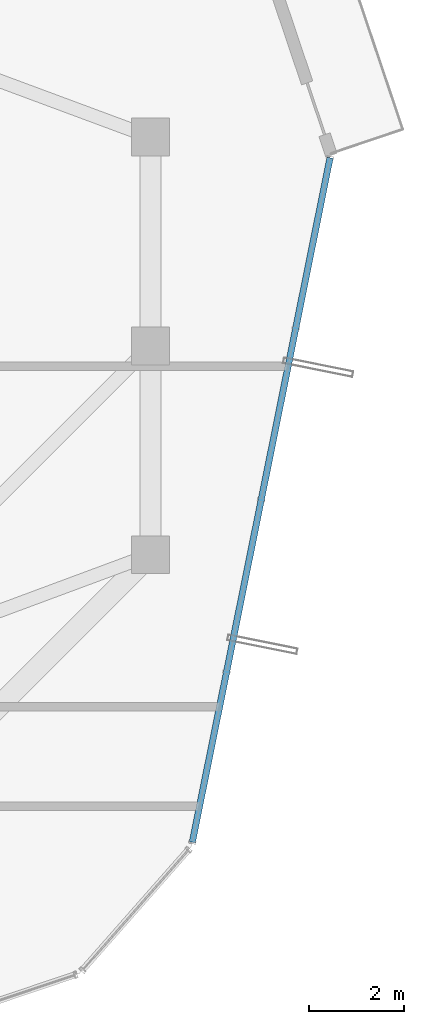
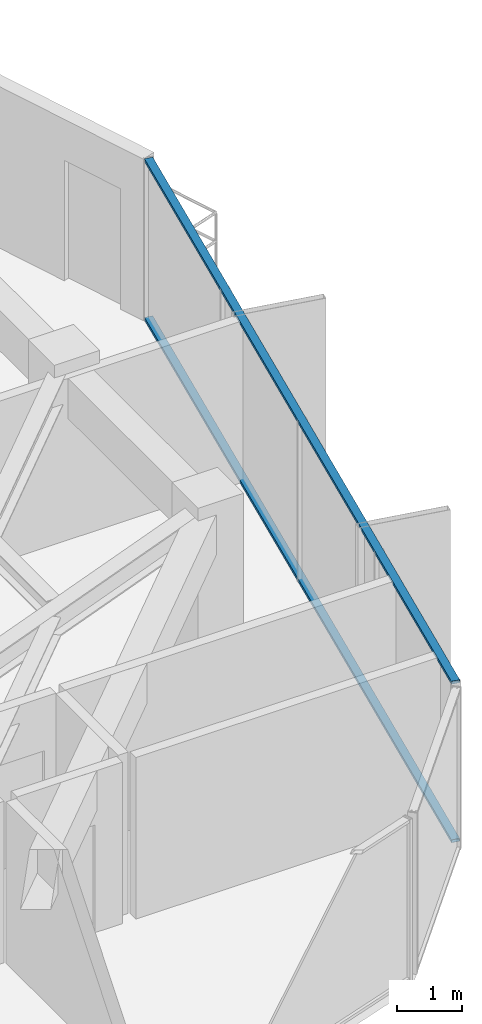
# One storey, part 18 of 28: 2 members, 1 element without a shape of its own.
"""IFC4 building model written with IfcOpenShell, lengths in metres."""

from ifc_helpers import new_model, si_unit, direction, frame, origin, origin_2d, place, context, subcontext, project, spatial, hollow_rectangle, extrude, source, transform, mapped, material, layer, layer_set, material_profile, profile_set, type_object, element, aggregate, save


model = new_model("IFC4")

# Units and contexts
model_context = context("Model", 3, precision=1e-05, world=origin(), true_north=direction((0.0, 1.0)))
body_context = subcontext(model_context, "Body", "Model", "MODEL_VIEW")
ifc_project = project(units=[si_unit("LENGTHUNIT", "METRE"), si_unit("AREAUNIT", "SQUARE_METRE"), si_unit("VOLUMEUNIT", "CUBIC_METRE"), si_unit("PLANEANGLEUNIT", "RADIAN"), si_unit("MASSUNIT", "GRAM", prefix="KILO")], contexts=[model_context])

# Site, building, storey
site_placement = place(None, origin())
site = spatial("IfcSite", under=ifc_project, at=site_placement, CompositionType="ELEMENT")
building_placement = place(site_placement, origin())
building = spatial("IfcBuilding", under=site, at=building_placement, Name="Veraguas Prism Commons", CompositionType="ELEMENT")
storey_placement = place(building_placement, frame((0.0, 0.0, 248.0)))
storey = spatial("IfcBuildingStorey", under=building, at=storey_placement, Name="L70", CompositionType="ELEMENT", Elevation=248.0)

# Curtain wall, members
ifc_material = material(Name="Anodised aluminium EN AW-6063 T6", Category="aluminium")
ifc_layer = layer(ifc_material, 0.14990234375, Name="Unitised Flush Curtain Wall Zone 4", Category="aluminium")
ifc_layer_set = layer_set([ifc_layer], Name="Anodised aluminium EN AW-6063 T6")
curtain_wall_type = type_object("IfcCurtainWallType", Name="Unitised Flush Curtain Wall Zone 4", PredefinedType="NOTDEFINED", material=ifc_layer_set)
curtain_wall_placement = place(storey_placement, origin())
curtain_wall = element("IfcCurtainWall", 1, at=curtain_wall_placement, inside=storey, type_object=curtain_wall_type, Name="Tower Facade Curtain Wall L70-F6", PredefinedType="NOTDEFINED")
ifc_material_profile = material_profile(ifc_material, hollow_rectangle(XDim=0.054931640625, YDim=0.135009765625, WallThickness=0.0029296875, at=origin_2d()), Name="AL55X135X3")
ifc_profile_set = profile_set([ifc_material_profile], Name="Anodised aluminium EN AW-6063 T6")
member_type = type_object("IfcMemberType", Name="Curtain Wall Transom Standard AL 55x135x3", PredefinedType="USERDEFINED", material=ifc_profile_set)
shared_shape = source(origin(), body_context, "Body", "SweptSolid", [
    extrude(hollow_rectangle(XDim=0.054931640625, YDim=0.135009765625, WallThickness=0.0029296875, at=origin_2d()), origin(), (0.0, 0.0, 1.0), 14.706298828125),
])
member_1_placement = place(storey_placement, frame((38.679931640625, 13.544677734375, 0.027587890625), z_axis=(0.197319560364, 0.980339222462, 0.0), x_axis=(0.0, 0.0, 1.0)))
member_1 = element("IfcMember", 2, at=member_1_placement, type_object=member_type, Name="CW-Z4 Transom 1", ObjectType="TRANSOM", PredefinedType="USERDEFINED", context=body_context, shape_type="MappedRepresentation", body=[
    mapped(shared_shape, transform((0.0, 0.0, 0.0), scale=1.0)),
])
member_2_placement = place(storey_placement, frame((38.679931640625, 13.544677734375, 2.987548828125), z_axis=(0.197319560364, 0.980339222462, 0.0), x_axis=(0.0, 0.0, 1.0)))
member_2 = element("IfcMember", 3, at=member_2_placement, type_object=member_type, Name="CW-Z4 Transom 2", ObjectType="TRANSOM", PredefinedType="USERDEFINED", context=body_context, shape_type="MappedRepresentation", body=[
    mapped(shared_shape, transform((0.0, 0.0, 0.0), scale=1.0)),
])
aggregate(curtain_wall, [member_1, member_2])

save(model, "model.ifc")
